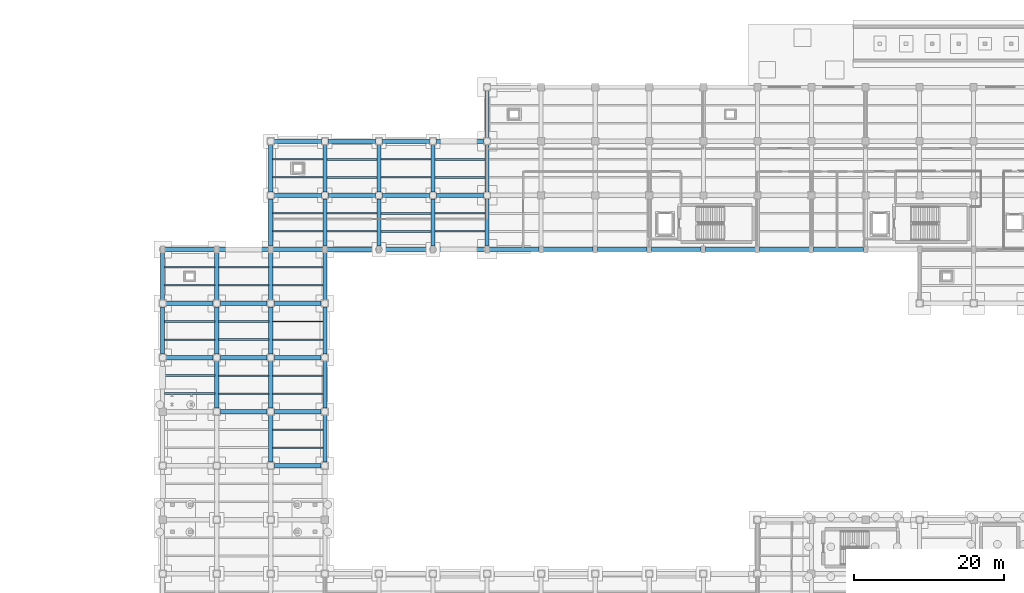
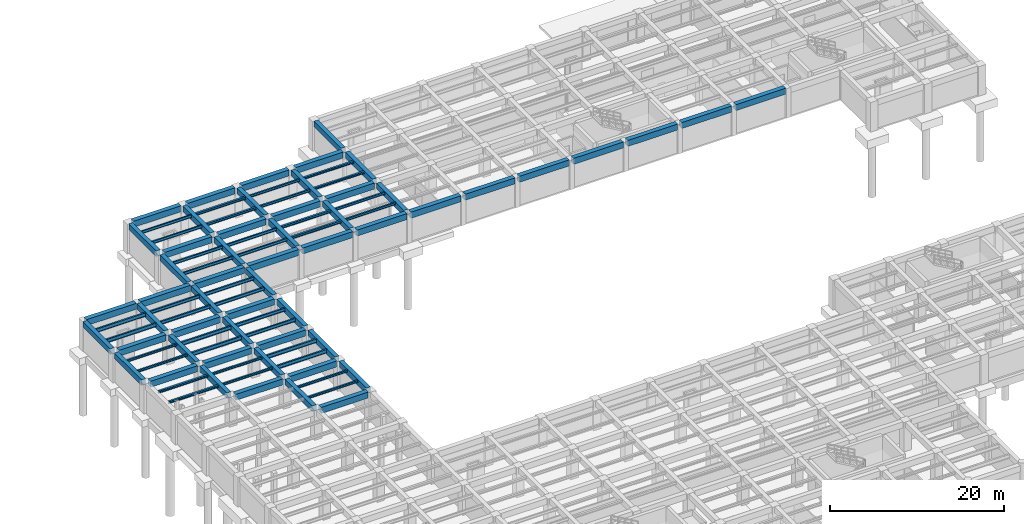
# One storey, part 12 of 34: 90 beams.
"""IFC4 building model written with IfcOpenShell, lengths in metres."""

from ifc_helpers import new_model, si_unit, direction, frame, origin, origin_2d, place, context, subcontext, project, spatial, rectangle, i_section, extrude, material, material_profile, profile_set, type_object, element, save


model = new_model("IFC4")

# Units and contexts
model_context = context("Model", 3, precision=1e-05, world=origin(), true_north=direction((0.0, 1.0)))
body_context = subcontext(model_context, "Body", "Model", "MODEL_VIEW")
ifc_project = project(units=[si_unit("LENGTHUNIT", "METRE"), si_unit("AREAUNIT", "SQUARE_METRE"), si_unit("VOLUMEUNIT", "CUBIC_METRE"), si_unit("PLANEANGLEUNIT", "RADIAN"), si_unit("MASSUNIT", "GRAM", prefix="KILO")], contexts=[model_context])

# Site, building, storey
site_placement = place(None, origin())
site = spatial("IfcSite", under=ifc_project, at=site_placement, CompositionType="ELEMENT")
building_placement = place(site_placement, origin())
building = spatial("IfcBuilding", under=site, at=building_placement, Name="Solenvale Faculty of Natural Sciences", CompositionType="ELEMENT")
storey_placement = place(building_placement, frame((0.0, 0.0, -4.5)))
storey = spatial("IfcBuildingStorey", under=building, at=storey_placement, Name="B01", CompositionType="ELEMENT", Elevation=-4.5)

# Beams
ifc_material_1 = material(Name="Concrete 40 MPa", Category="concrete")
ifc_material_profile_1 = material_profile(ifc_material_1, rectangle(XDim=0.550048828125, YDim=0.800048828125, at=origin_2d()), Name="RC-BM-550x800")
ifc_profile_set_1 = profile_set([ifc_material_profile_1], Name="Concrete 40 MPa")
beam_type_1 = type_object("IfcBeamType", Name="BM-RC-550x800", PredefinedType="BEAM", material=ifc_profile_set_1)
beam_1_placement = place(storey_placement, frame((36.0, 79.679931640625, 3.75), z_axis=(0.0, 1.0, 0.0), x_axis=(-1.0, 0.0, 0.0)))
element("IfcBeam", 1, at=beam_1_placement, inside=storey, type_object=beam_type_1, Name="B01 Y-Girder X36.0 (79.2..86.4)", PredefinedType="BEAM", context=body_context, shape_type="SweptSolid", body=[
    extrude(rectangle(XDim=0.550048828125, YDim=0.800048828125, at=origin_2d()), origin(), (0.0, 0.0, 1.0), 6.239990234375),
])
beam_2_placement = place(storey_placement, frame((36.0, 86.8798828125, 3.75), z_axis=(0.0, 1.0, 0.0), x_axis=(-1.0, 0.0, 0.0)))
element("IfcBeam", 2, at=beam_2_placement, inside=storey, type_object=beam_type_1, Name="B01 Y-Girder X36.0 (86.4..93.6)", PredefinedType="BEAM", context=body_context, shape_type="SweptSolid", body=[
    extrude(rectangle(XDim=0.550048828125, YDim=0.800048828125, at=origin_2d()), origin(), (0.0, 0.0, 1.0), 6.2900390625),
])
for number, where, z_axis, x_axis, name in (
    (3, (43.199951171875, 72.47998046875, 3.75), (0.0, 1.0, 0.0), (-1.0, 0.0, 0.0), "B01 Y-Girder X43.2 (72.0..79.2)"),
    (4, (43.199951171875, 79.679931640625, 3.75), (0.0, 1.0, 0.0), (-1.0, 0.0, 0.0), "B01 Y-Girder X43.2 (79.2..86.4)"),
):
    element("IfcBeam", number, at=place(storey_placement, frame(where, z_axis=z_axis, x_axis=x_axis)), inside=storey, type_object=beam_type_1, Name=name, PredefinedType="BEAM", context=body_context, shape_type="SweptSolid", body=[
        extrude(rectangle(XDim=0.550048828125, YDim=0.800048828125, at=origin_2d()), origin(), (0.0, 0.0, 1.0), 6.239990234375),
    ])
beam_3_placement = place(storey_placement, frame((43.199951171875, 86.8798828125, 3.75), z_axis=(0.0, 1.0, 0.0), x_axis=(-1.0, 0.0, 0.0)))
element("IfcBeam", 5, at=beam_3_placement, inside=storey, type_object=beam_type_1, Name="B01 Y-Girder X43.2 (86.4..93.6)", PredefinedType="BEAM", context=body_context, shape_type="SweptSolid", body=[
    extrude(rectangle(XDim=0.550048828125, YDim=0.800048828125, at=origin_2d()), origin(), (0.0, 0.0, 1.0), 6.2900390625),
])
for number, where, z_axis, x_axis, name in (
    (6, (50.39990234375, 65.280029296875, 3.75), (0.0, 1.0, 0.0), (-1.0, 0.0, 0.0), "B01 Y-Girder X50.4 (64.8..72.0)"),
    (7, (50.39990234375, 72.47998046875, 3.75), (0.0, 1.0, 0.0), (-1.0, 0.0, 0.0), "B01 Y-Girder X50.4 (72.0..79.2)"),
    (8, (50.39990234375, 79.679931640625, 3.75), (0.0, 1.0, 0.0), (-1.0, 0.0, 0.0), "B01 Y-Girder X50.4 (79.2..86.4)"),
):
    element("IfcBeam", number, at=place(storey_placement, frame(where, z_axis=z_axis, x_axis=x_axis)), inside=storey, type_object=beam_type_1, Name=name, PredefinedType="BEAM", context=body_context, shape_type="SweptSolid", body=[
        extrude(rectangle(XDim=0.550048828125, YDim=0.800048828125, at=origin_2d()), origin(), (0.0, 0.0, 1.0), 6.239990234375),
    ])
beam_4_placement = place(storey_placement, frame((50.39990234375, 86.8798828125, 3.75), z_axis=(0.0, 1.0, 0.0), x_axis=(-1.0, 0.0, 0.0)))
element("IfcBeam", 9, at=beam_4_placement, inside=storey, type_object=beam_type_1, Name="B01 Y-Girder X50.4 (86.4..93.6)", PredefinedType="BEAM", context=body_context, shape_type="SweptSolid", body=[
    extrude(rectangle(XDim=0.550048828125, YDim=0.800048828125, at=origin_2d()), origin(), (0.0, 0.0, 1.0), 6.2900390625),
])
beam_5_placement = place(storey_placement, frame((50.39990234375, 94.030029296875, 3.75), z_axis=(0.0, 1.0, 0.0), x_axis=(-1.0, 0.0, 0.0)))
element("IfcBeam", 10, at=beam_5_placement, inside=storey, type_object=beam_type_1, Name="B01 Y-Girder X50.4 (93.6..100.8)", PredefinedType="BEAM", context=body_context, shape_type="SweptSolid", body=[
    extrude(rectangle(XDim=0.550048828125, YDim=0.800048828125, at=origin_2d()), origin(), (0.0, 0.0, 1.0), 6.31494140625),
])
beam_6_placement = place(storey_placement, frame((50.39990234375, 101.2548828125, 3.75), z_axis=(0.0, 1.0, 0.0), x_axis=(-1.0, 0.0, 0.0)))
element("IfcBeam", 11, at=beam_6_placement, inside=storey, type_object=beam_type_1, Name="B01 Y-Girder X50.4 (100.8..108.0)", PredefinedType="BEAM", context=body_context, shape_type="SweptSolid", body=[
    extrude(rectangle(XDim=0.550048828125, YDim=0.800048828125, at=origin_2d()), origin(), (0.0, 0.0, 1.0), 6.2900390625),
])
for number, where, z_axis, x_axis, name in (
    (12, (57.60009765625, 65.280029296875, 3.75), (0.0, 1.0, 0.0), (-1.0, 0.0, 0.0), "B01 Y-Girder X57.6 (64.8..72.0)"),
    (13, (57.60009765625, 72.47998046875, 3.75), (0.0, 1.0, 0.0), (-1.0, 0.0, 0.0), "B01 Y-Girder X57.6 (72.0..79.2)"),
    (14, (57.60009765625, 79.679931640625, 3.75), (0.0, 1.0, 0.0), (-1.0, 0.0, 0.0), "B01 Y-Girder X57.6 (79.2..86.4)"),
):
    element("IfcBeam", number, at=place(storey_placement, frame(where, z_axis=z_axis, x_axis=x_axis)), inside=storey, type_object=beam_type_1, Name=name, PredefinedType="BEAM", context=body_context, shape_type="SweptSolid", body=[
        extrude(rectangle(XDim=0.550048828125, YDim=0.800048828125, at=origin_2d()), origin(), (0.0, 0.0, 1.0), 6.239990234375),
    ])
beam_7_placement = place(storey_placement, frame((57.60009765625, 86.8798828125, 3.75), z_axis=(0.0, 1.0, 0.0), x_axis=(-1.0, 0.0, 0.0)))
element("IfcBeam", 15, at=beam_7_placement, inside=storey, type_object=beam_type_1, Name="B01 Y-Girder X57.6 (86.4..93.6)", PredefinedType="BEAM", context=body_context, shape_type="SweptSolid", body=[
    extrude(rectangle(XDim=0.550048828125, YDim=0.800048828125, at=origin_2d()), origin(), (0.0, 0.0, 1.0), 6.2900390625),
])
beam_8_placement = place(storey_placement, frame((57.60009765625, 94.030029296875, 3.75), z_axis=(0.0, 1.0, 0.0), x_axis=(-1.0, 0.0, 0.0)))
element("IfcBeam", 16, at=beam_8_placement, inside=storey, type_object=beam_type_1, Name="B01 Y-Girder X57.6 (93.6..100.8)", PredefinedType="BEAM", context=body_context, shape_type="SweptSolid", body=[
    extrude(rectangle(XDim=0.550048828125, YDim=0.800048828125, at=origin_2d()), origin(), (0.0, 0.0, 1.0), 6.31494140625),
])
beam_9_placement = place(storey_placement, frame((57.60009765625, 101.2548828125, 3.75), z_axis=(0.0, 1.0, 0.0), x_axis=(-1.0, 0.0, 0.0)))
element("IfcBeam", 17, at=beam_9_placement, inside=storey, type_object=beam_type_1, Name="B01 Y-Girder X57.6 (100.8..108.0)", PredefinedType="BEAM", context=body_context, shape_type="SweptSolid", body=[
    extrude(rectangle(XDim=0.550048828125, YDim=0.800048828125, at=origin_2d()), origin(), (0.0, 0.0, 1.0), 6.2900390625),
])
beam_10_placement = place(storey_placement, frame((64.800048828125, 94.030029296875, 3.75), z_axis=(0.0, 1.0, 0.0), x_axis=(-1.0, 0.0, 0.0)))
element("IfcBeam", 18, at=beam_10_placement, inside=storey, type_object=beam_type_1, Name="B01 Y-Girder X64.8 (93.6..100.8)", PredefinedType="BEAM", context=body_context, shape_type="SweptSolid", body=[
    extrude(rectangle(XDim=0.550048828125, YDim=0.800048828125, at=origin_2d()), origin(), (0.0, 0.0, 1.0), 6.31494140625),
])
beam_11_placement = place(storey_placement, frame((64.800048828125, 101.2548828125, 3.75), z_axis=(0.0, 1.0, 0.0), x_axis=(-1.0, 0.0, 0.0)))
element("IfcBeam", 19, at=beam_11_placement, inside=storey, type_object=beam_type_1, Name="B01 Y-Girder X64.8 (100.8..108.0)", PredefinedType="BEAM", context=body_context, shape_type="SweptSolid", body=[
    extrude(rectangle(XDim=0.550048828125, YDim=0.800048828125, at=origin_2d()), origin(), (0.0, 0.0, 1.0), 6.2900390625),
])
beam_12_placement = place(storey_placement, frame((72.0, 94.030029296875, 3.75), z_axis=(0.0, 1.0, 0.0), x_axis=(-1.0, 0.0, 0.0)))
element("IfcBeam", 20, at=beam_12_placement, inside=storey, type_object=beam_type_1, Name="B01 Y-Girder X72.0 (93.6..100.8)", PredefinedType="BEAM", context=body_context, shape_type="SweptSolid", body=[
    extrude(rectangle(XDim=0.550048828125, YDim=0.800048828125, at=origin_2d()), origin(), (0.0, 0.0, 1.0), 6.31494140625),
])
beam_13_placement = place(storey_placement, frame((72.0, 101.2548828125, 3.75), z_axis=(0.0, 1.0, 0.0), x_axis=(-1.0, 0.0, 0.0)))
element("IfcBeam", 21, at=beam_13_placement, inside=storey, type_object=beam_type_1, Name="B01 Y-Girder X72.0 (100.8..108.0)", PredefinedType="BEAM", context=body_context, shape_type="SweptSolid", body=[
    extrude(rectangle(XDim=0.550048828125, YDim=0.800048828125, at=origin_2d()), origin(), (0.0, 0.0, 1.0), 6.2900390625),
])
beam_14_placement = place(storey_placement, frame((79.199951171875, 94.030029296875, 3.75), z_axis=(0.0, 1.0, 0.0), x_axis=(-1.0, 0.0, 0.0)))
element("IfcBeam", 22, at=beam_14_placement, inside=storey, type_object=beam_type_1, Name="B01 Y-Girder X79.2 (93.6..100.8)", PredefinedType="BEAM", context=body_context, shape_type="SweptSolid", body=[
    extrude(rectangle(XDim=0.550048828125, YDim=0.800048828125, at=origin_2d()), origin(), (0.0, 0.0, 1.0), 6.31494140625),
])
for number, where, z_axis, x_axis, name in (
    (23, (79.199951171875, 101.2548828125, 3.75), (0.0, 1.0, 0.0), (-1.0, 0.0, 0.0), "B01 Y-Girder X79.2 (100.8..108.0)"),
    (24, (79.199951171875, 108.455078125, 3.75), (0.0, 1.0, 0.0), (-1.0, 0.0, 0.0), "B01 Y-Girder X79.2 (108.0..115.2)"),
):
    element("IfcBeam", number, at=place(storey_placement, frame(where, z_axis=z_axis, x_axis=x_axis)), inside=storey, type_object=beam_type_1, Name=name, PredefinedType="BEAM", context=body_context, shape_type="SweptSolid", body=[
        extrude(rectangle(XDim=0.550048828125, YDim=0.800048828125, at=origin_2d()), origin(), (0.0, 0.0, 1.0), 6.2900390625),
    ])
ifc_material_profile_2 = material_profile(ifc_material_1, rectangle(XDim=0.60009765625, YDim=0.85009765625, at=origin_2d()), Name="RC-BM-600x850")
ifc_profile_set_2 = profile_set([ifc_material_profile_2], Name="Concrete 40 MPa")
beam_type_2 = type_object("IfcBeamType", Name="BM-RC-600x850", PredefinedType="BEAM", material=ifc_profile_set_2)
beam_15_placement = place(storey_placement, frame((50.8798828125, 64.800048828125, 3.72509765625), z_axis=(1.0, 0.0, 0.0), x_axis=(0.0, 1.0, 0.0)))
element("IfcBeam", 25, at=beam_15_placement, inside=storey, type_object=beam_type_2, Name="B01 X-Girder Y64.8 (50.4..57.6)", PredefinedType="BEAM", context=body_context, shape_type="SweptSolid", body=[
    extrude(rectangle(XDim=0.60009765625, YDim=0.85009765625, at=origin_2d()), origin(), (0.0, 0.0, 1.0), 6.240234375),
])
beam_16_placement = place(storey_placement, frame((43.679931640625, 72.0, 3.72509765625), z_axis=(1.0, 0.0, 0.0), x_axis=(0.0, 1.0, 0.0)))
element("IfcBeam", 26, at=beam_16_placement, inside=storey, type_object=beam_type_2, Name="B01 X-Girder Y72.0 (43.2..50.4)", PredefinedType="BEAM", context=body_context, shape_type="SweptSolid", body=[
    extrude(rectangle(XDim=0.60009765625, YDim=0.85009765625, at=origin_2d()), origin(), (0.0, 0.0, 1.0), 6.239990234375),
])
beam_17_placement = place(storey_placement, frame((50.8798828125, 72.0, 3.72509765625), z_axis=(1.0, 0.0, 0.0), x_axis=(0.0, 1.0, 0.0)))
element("IfcBeam", 27, at=beam_17_placement, inside=storey, type_object=beam_type_2, Name="B01 X-Girder Y72.0 (50.4..57.6)", PredefinedType="BEAM", context=body_context, shape_type="SweptSolid", body=[
    extrude(rectangle(XDim=0.60009765625, YDim=0.85009765625, at=origin_2d()), origin(), (0.0, 0.0, 1.0), 6.240234375),
])
for number, where, z_axis, x_axis, name in (
    (28, (36.47998046875, 79.199951171875, 3.72509765625), (1.0, 0.0, 0.0), (0.0, 1.0, 0.0), "B01 X-Girder Y79.2 (36.0..43.2)"),
    (29, (43.679931640625, 79.199951171875, 3.72509765625), (1.0, 0.0, 0.0), (0.0, 1.0, 0.0), "B01 X-Girder Y79.2 (43.2..50.4)"),
):
    element("IfcBeam", number, at=place(storey_placement, frame(where, z_axis=z_axis, x_axis=x_axis)), inside=storey, type_object=beam_type_2, Name=name, PredefinedType="BEAM", context=body_context, shape_type="SweptSolid", body=[
        extrude(rectangle(XDim=0.60009765625, YDim=0.85009765625, at=origin_2d()), origin(), (0.0, 0.0, 1.0), 6.239990234375),
    ])
beam_18_placement = place(storey_placement, frame((50.8798828125, 79.199951171875, 3.72509765625), z_axis=(1.0, 0.0, 0.0), x_axis=(0.0, 1.0, 0.0)))
element("IfcBeam", 30, at=beam_18_placement, inside=storey, type_object=beam_type_2, Name="B01 X-Girder Y79.2 (50.4..57.6)", PredefinedType="BEAM", context=body_context, shape_type="SweptSolid", body=[
    extrude(rectangle(XDim=0.60009765625, YDim=0.85009765625, at=origin_2d()), origin(), (0.0, 0.0, 1.0), 6.240234375),
])
for number, where, z_axis, x_axis, name in (
    (31, (36.47998046875, 86.39990234375, 3.72509765625), (1.0, 0.0, 0.0), (0.0, 1.0, 0.0), "B01 X-Girder Y86.4 (36.0..43.2)"),
    (32, (43.679931640625, 86.39990234375, 3.72509765625), (1.0, 0.0, 0.0), (0.0, 1.0, 0.0), "B01 X-Girder Y86.4 (43.2..50.4)"),
):
    element("IfcBeam", number, at=place(storey_placement, frame(where, z_axis=z_axis, x_axis=x_axis)), inside=storey, type_object=beam_type_2, Name=name, PredefinedType="BEAM", context=body_context, shape_type="SweptSolid", body=[
        extrude(rectangle(XDim=0.60009765625, YDim=0.85009765625, at=origin_2d()), origin(), (0.0, 0.0, 1.0), 6.239990234375),
    ])
beam_19_placement = place(storey_placement, frame((50.8798828125, 86.39990234375, 3.72509765625), z_axis=(1.0, 0.0, 0.0), x_axis=(0.0, 1.0, 0.0)))
element("IfcBeam", 33, at=beam_19_placement, inside=storey, type_object=beam_type_2, Name="B01 X-Girder Y86.4 (50.4..57.6)", PredefinedType="BEAM", context=body_context, shape_type="SweptSolid", body=[
    extrude(rectangle(XDim=0.60009765625, YDim=0.85009765625, at=origin_2d()), origin(), (0.0, 0.0, 1.0), 6.240234375),
])
beam_20_placement = place(storey_placement, frame((36.280029296875, 93.60009765625, 3.72509765625), z_axis=(1.0, 0.0, 0.0), x_axis=(0.0, 1.0, 0.0)))
element("IfcBeam", 34, at=beam_20_placement, inside=storey, type_object=beam_type_2, Name="B01 X-Girder Y93.6 (36.0..43.2)", PredefinedType="BEAM", context=body_context, shape_type="SweptSolid", body=[
    extrude(rectangle(XDim=0.60009765625, YDim=0.85009765625, at=origin_2d()), origin(), (0.0, 0.0, 1.0), 6.639892578125),
])
for number, where, z_axis, x_axis, name in (
    (35, (43.47998046875, 93.60009765625, 3.72509765625), (1.0, 0.0, 0.0), (0.0, 1.0, 0.0), "B01 X-Girder Y93.6 (43.2..50.4)"),
    (36, (50.679931640625, 93.60009765625, 3.72509765625), (1.0, 0.0, 0.0), (0.0, 1.0, 0.0), "B01 X-Girder Y93.6 (50.4..57.6)"),
    (37, (57.8798828125, 93.60009765625, 3.72509765625), (1.0, 0.0, 0.0), (0.0, 1.0, 0.0), "B01 X-Girder Y93.6 (57.6..64.8)"),
):
    element("IfcBeam", number, at=place(storey_placement, frame(where, z_axis=z_axis, x_axis=x_axis)), inside=storey, type_object=beam_type_2, Name=name, PredefinedType="BEAM", context=body_context, shape_type="SweptSolid", body=[
        extrude(rectangle(XDim=0.60009765625, YDim=0.85009765625, at=origin_2d()), origin(), (0.0, 0.0, 1.0), 6.64013671875),
    ])
for number, where, z_axis, x_axis, name in (
    (38, (65.080078125, 93.60009765625, 3.72509765625), (1.0, 0.0, 0.0), (0.0, 1.0, 0.0), "B01 X-Girder Y93.6 (64.8..72.0)"),
    (39, (72.280029296875, 93.60009765625, 3.72509765625), (1.0, 0.0, 0.0), (0.0, 1.0, 0.0), "B01 X-Girder Y93.6 (72.0..79.2)"),
):
    element("IfcBeam", number, at=place(storey_placement, frame(where, z_axis=z_axis, x_axis=x_axis)), inside=storey, type_object=beam_type_2, Name=name, PredefinedType="BEAM", context=body_context, shape_type="SweptSolid", body=[
        extrude(rectangle(XDim=0.60009765625, YDim=0.85009765625, at=origin_2d()), origin(), (0.0, 0.0, 1.0), 6.639892578125),
    ])
for number, where, z_axis, x_axis, name in (
    (40, (79.47998046875, 93.60009765625, 3.72509765625), (1.0, 0.0, 0.0), (0.0, 1.0, 0.0), "B01 X-Girder Y93.6 (79.2..86.4)"),
    (41, (86.679931640625, 93.60009765625, 3.72509765625), (1.0, 0.0, 0.0), (0.0, 1.0, 0.0), "B01 X-Girder Y93.6 (86.4..93.6)"),
    (42, (93.8798828125, 93.60009765625, 3.72509765625), (1.0, 0.0, 0.0), (0.0, 1.0, 0.0), "B01 X-Girder Y93.6 (93.6..100.8)"),
):
    element("IfcBeam", number, at=place(storey_placement, frame(where, z_axis=z_axis, x_axis=x_axis)), inside=storey, type_object=beam_type_2, Name=name, PredefinedType="BEAM", context=body_context, shape_type="SweptSolid", body=[
        extrude(rectangle(XDim=0.60009765625, YDim=0.85009765625, at=origin_2d()), origin(), (0.0, 0.0, 1.0), 6.64013671875),
    ])
for number, where, z_axis, x_axis, name in (
    (43, (101.080078125, 93.60009765625, 3.72509765625), (1.0, 0.0, 0.0), (0.0, 1.0, 0.0), "B01 X-Girder Y93.6 (100.8..108.0)"),
    (44, (108.280029296875, 93.60009765625, 3.72509765625), (1.0, 0.0, 0.0), (0.0, 1.0, 0.0), "B01 X-Girder Y93.6 (108.0..115.2)"),
):
    element("IfcBeam", number, at=place(storey_placement, frame(where, z_axis=z_axis, x_axis=x_axis)), inside=storey, type_object=beam_type_2, Name=name, PredefinedType="BEAM", context=body_context, shape_type="SweptSolid", body=[
        extrude(rectangle(XDim=0.60009765625, YDim=0.85009765625, at=origin_2d()), origin(), (0.0, 0.0, 1.0), 6.639892578125),
    ])
for number, where, z_axis, x_axis, name in (
    (45, (115.47998046875, 93.60009765625, 3.72509765625), (1.0, 0.0, 0.0), (0.0, 1.0, 0.0), "B01 X-Girder Y93.6 (115.2..122.4)"),
    (46, (122.679931640625, 93.60009765625, 3.72509765625), (1.0, 0.0, 0.0), (0.0, 1.0, 0.0), "B01 X-Girder Y93.6 (122.4..129.6)"),
):
    element("IfcBeam", number, at=place(storey_placement, frame(where, z_axis=z_axis, x_axis=x_axis)), inside=storey, type_object=beam_type_2, Name=name, PredefinedType="BEAM", context=body_context, shape_type="SweptSolid", body=[
        extrude(rectangle(XDim=0.60009765625, YDim=0.85009765625, at=origin_2d()), origin(), (0.0, 0.0, 1.0), 6.64013671875),
    ])
for number, where, z_axis, x_axis, name in (
    (47, (50.85498046875, 100.800048828125, 3.72509765625), (1.0, 0.0, 0.0), (0.0, 1.0, 0.0), "B01 X-Girder Y100.8 (50.4..57.6)"),
    (48, (58.054931640625, 100.800048828125, 3.72509765625), (1.0, 0.0, 0.0), (0.0, 1.0, 0.0), "B01 X-Girder Y100.8 (57.6..64.8)"),
    (49, (65.2548828125, 100.800048828125, 3.72509765625), (1.0, 0.0, 0.0), (0.0, 1.0, 0.0), "B01 X-Girder Y100.8 (64.8..72.0)"),
    (50, (72.455078125, 100.800048828125, 3.72509765625), (1.0, 0.0, 0.0), (0.0, 1.0, 0.0), "B01 X-Girder Y100.8 (72.0..79.2)"),
    (51, (50.85498046875, 108.0, 3.72509765625), (1.0, 0.0, 0.0), (0.0, 1.0, 0.0), "B01 X-Girder Y108.0 (50.4..57.6)"),
    (52, (58.054931640625, 108.0, 3.72509765625), (1.0, 0.0, 0.0), (0.0, 1.0, 0.0), "B01 X-Girder Y108.0 (57.6..64.8)"),
    (53, (65.2548828125, 108.0, 3.72509765625), (1.0, 0.0, 0.0), (0.0, 1.0, 0.0), "B01 X-Girder Y108.0 (64.8..72.0)"),
    (54, (72.455078125, 108.0, 3.72509765625), (1.0, 0.0, 0.0), (0.0, 1.0, 0.0), "B01 X-Girder Y108.0 (72.0..79.2)"),
):
    element("IfcBeam", number, at=place(storey_placement, frame(where, z_axis=z_axis, x_axis=x_axis)), inside=storey, type_object=beam_type_2, Name=name, PredefinedType="BEAM", context=body_context, shape_type="SweptSolid", body=[
        extrude(rectangle(XDim=0.60009765625, YDim=0.85009765625, at=origin_2d()), origin(), (0.0, 0.0, 1.0), 6.2900390625),
    ])
ifc_material_2 = material(Name="Steel S355", Category="steel")
ifc_material_profile_3 = material_profile(ifc_material_2, i_section(OverallWidth=0.202880859375, OverallDepth=0.302978515625, WebThickness=0.007568359375, FlangeThickness=0.01318359375, FilletRadius=0.014892578125, at=origin_2d()), Name="W310x60")
ifc_profile_set_3 = profile_set([ifc_material_profile_3], Name="Steel S355")
beam_type_3 = type_object("IfcBeamType", Name="BM-STL-W310x60", PredefinedType="JOIST", material=ifc_profile_set_3)
for number, where, z_axis, x_axis, name in (
    (55, (36.2548828125, 81.60009765625, 3.99853515625), (1.0, 0.0, 0.0), (0.0, 1.0, 0.0), "B01 Composite Floor Joist (6,12).1"),
    (56, (36.2548828125, 84.0, 3.99853515625), (1.0, 0.0, 0.0), (0.0, 1.0, 0.0), "B01 Composite Floor Joist (6,12).2"),
):
    element("IfcBeam", number, at=place(storey_placement, frame(where, z_axis=z_axis, x_axis=x_axis)), inside=storey, type_object=beam_type_3, Name=name, PredefinedType="JOIST", context=body_context, shape_type="SweptSolid", body=[
        extrude(i_section(OverallWidth=0.202880859375, OverallDepth=0.302978515625, WebThickness=0.007568359375, FlangeThickness=0.01318359375, FilletRadius=0.014892578125, at=origin_2d()), origin(), (0.0, 0.0, 1.0), 6.690185546875),
    ])
for number, where, z_axis, x_axis, name in (
    (57, (43.455078125, 74.39990234375, 3.99853515625), (1.0, 0.0, 0.0), (0.0, 1.0, 0.0), "B01 Composite Floor Joist (7,11).1"),
    (58, (43.455078125, 76.800048828125, 3.99853515625), (1.0, 0.0, 0.0), (0.0, 1.0, 0.0), "B01 Composite Floor Joist (7,11).2"),
    (59, (50.655029296875, 67.199951171875, 3.99853515625), (1.0, 0.0, 0.0), (0.0, 1.0, 0.0), "B01 Composite Floor Joist (8,10).1"),
    (60, (50.655029296875, 69.60009765625, 3.99853515625), (1.0, 0.0, 0.0), (0.0, 1.0, 0.0), "B01 Composite Floor Joist (8,10).2"),
):
    element("IfcBeam", number, at=place(storey_placement, frame(where, z_axis=z_axis, x_axis=x_axis)), inside=storey, type_object=beam_type_3, Name=name, PredefinedType="JOIST", context=body_context, shape_type="SweptSolid", body=[
        extrude(i_section(OverallWidth=0.202880859375, OverallDepth=0.302978515625, WebThickness=0.007568359375, FlangeThickness=0.01318359375, FilletRadius=0.014892578125, at=origin_2d()), origin(), (0.0, 0.0, 1.0), 6.68994140625),
    ])
ifc_material_profile_4 = material_profile(ifc_material_2, i_section(OverallWidth=0.25390625, OverallDepth=0.305908203125, WebThickness=0.0087890625, FlangeThickness=0.0146484375, FilletRadius=0.014892578125, at=origin_2d()), Name="W310x79")
ifc_profile_set_4 = profile_set([ifc_material_profile_4], Name="Steel S355")
beam_type_4 = type_object("IfcBeamType", Name="BM-STL-W310x79", PredefinedType="JOIST", material=ifc_profile_set_4)
for number, where, z_axis, x_axis, name in (
    (61, (36.2548828125, 74.39990234375, 3.9970703125), (1.0, 0.0, 0.0), (0.0, 1.0, 0.0), "B01 Composite Floor Joist (6,11).1"),
    (62, (36.2548828125, 76.800048828125, 3.9970703125), (1.0, 0.0, 0.0), (0.0, 1.0, 0.0), "B01 Composite Floor Joist (6,11).2"),
    (63, (72.2548828125, 103.199951171875, 3.9970703125), (1.0, 0.0, 0.0), (0.0, 1.0, 0.0), "B01 Composite Floor Joist (11,15).1"),
    (64, (72.2548828125, 105.60009765625, 3.9970703125), (1.0, 0.0, 0.0), (0.0, 1.0, 0.0), "B01 Composite Floor Joist (11,15).2"),
):
    element("IfcBeam", number, at=place(storey_placement, frame(where, z_axis=z_axis, x_axis=x_axis)), inside=storey, type_object=beam_type_4, Name=name, PredefinedType="JOIST", context=body_context, shape_type="SweptSolid", body=[
        extrude(i_section(OverallWidth=0.25390625, OverallDepth=0.305908203125, WebThickness=0.0087890625, FlangeThickness=0.0146484375, FilletRadius=0.014892578125, at=origin_2d()), origin(), (0.0, 0.0, 1.0), 6.690185546875),
    ])
ifc_material_profile_5 = material_profile(ifc_material_2, i_section(OverallWidth=0.2548828125, OverallDepth=0.35693359375, WebThickness=0.010498046875, FlangeThickness=0.018310546875, FilletRadius=0.014892578125, at=origin_2d()), Name="W360x101")
ifc_profile_set_5 = profile_set([ifc_material_profile_5], Name="Steel S355")
beam_type_5 = type_object("IfcBeamType", Name="BM-STL-W360x101", PredefinedType="JOIST", material=ifc_profile_set_5)
for number, where, z_axis, x_axis, name in (
    (65, (57.85498046875, 103.199951171875, 3.971435546875), (1.0, 0.0, 0.0), (0.0, 1.0, 0.0), "B01 Composite Floor Joist (9,15).1"),
    (66, (57.85498046875, 105.60009765625, 3.971435546875), (1.0, 0.0, 0.0), (0.0, 1.0, 0.0), "B01 Composite Floor Joist (9,15).2"),
):
    element("IfcBeam", number, at=place(storey_placement, frame(where, z_axis=z_axis, x_axis=x_axis)), inside=storey, type_object=beam_type_5, Name=name, PredefinedType="JOIST", context=body_context, shape_type="SweptSolid", body=[
        extrude(i_section(OverallWidth=0.2548828125, OverallDepth=0.35693359375, WebThickness=0.010498046875, FlangeThickness=0.018310546875, FilletRadius=0.014892578125, at=origin_2d()), origin(), (0.0, 0.0, 1.0), 6.68994140625),
    ])
for number, where, z_axis, x_axis, name in (
    (67, (65.054931640625, 96.0, 3.971435546875), (1.0, 0.0, 0.0), (0.0, 1.0, 0.0), "B01 Composite Floor Joist (10,14).1"),
    (68, (65.054931640625, 98.39990234375, 3.971435546875), (1.0, 0.0, 0.0), (0.0, 1.0, 0.0), "B01 Composite Floor Joist (10,14).2"),
):
    element("IfcBeam", number, at=place(storey_placement, frame(where, z_axis=z_axis, x_axis=x_axis)), inside=storey, type_object=beam_type_5, Name=name, PredefinedType="JOIST", context=body_context, shape_type="SweptSolid", body=[
        extrude(i_section(OverallWidth=0.2548828125, OverallDepth=0.35693359375, WebThickness=0.010498046875, FlangeThickness=0.018310546875, FilletRadius=0.014892578125, at=origin_2d()), origin(), (0.0, 0.0, 1.0), 6.690185546875),
    ])
ifc_material_profile_6 = material_profile(ifc_material_2, i_section(OverallWidth=0.2041015625, OverallDepth=0.35009765625, WebThickness=0.008544921875, FlangeThickness=0.01513671875, FilletRadius=0.014892578125, at=origin_2d()), Name="W360x72")
ifc_profile_set_6 = profile_set([ifc_material_profile_6], Name="Steel S355")
beam_type_6 = type_object("IfcBeamType", Name="BM-STL-W360x72", PredefinedType="JOIST", material=ifc_profile_set_6)
for number, where, z_axis, x_axis, name in (
    (69, (65.054931640625, 103.199951171875, 3.97509765625), (1.0, 0.0, 0.0), (0.0, 1.0, 0.0), "B01 Composite Floor Joist (10,15).1"),
    (70, (65.054931640625, 105.60009765625, 3.97509765625), (1.0, 0.0, 0.0), (0.0, 1.0, 0.0), "B01 Composite Floor Joist (10,15).2"),
    (71, (72.2548828125, 96.0, 3.97509765625), (1.0, 0.0, 0.0), (0.0, 1.0, 0.0), "B01 Composite Floor Joist (11,14).1"),
    (72, (72.2548828125, 98.39990234375, 3.97509765625), (1.0, 0.0, 0.0), (0.0, 1.0, 0.0), "B01 Composite Floor Joist (11,14).2"),
):
    element("IfcBeam", number, at=place(storey_placement, frame(where, z_axis=z_axis, x_axis=x_axis)), inside=storey, type_object=beam_type_6, Name=name, PredefinedType="JOIST", context=body_context, shape_type="SweptSolid", body=[
        extrude(i_section(OverallWidth=0.2041015625, OverallDepth=0.35009765625, WebThickness=0.008544921875, FlangeThickness=0.01513671875, FilletRadius=0.014892578125, at=origin_2d()), origin(), (0.0, 0.0, 1.0), 6.690185546875),
    ])
ifc_material_profile_7 = material_profile(ifc_material_2, i_section(OverallWidth=0.178955078125, OverallDepth=0.409912109375, WebThickness=0.0087890625, FlangeThickness=0.014404296875, FilletRadius=0.01611328125, at=origin_2d()), Name="W410x67")
ifc_profile_set_7 = profile_set([ifc_material_profile_7], Name="Steel S355")
beam_type_7 = type_object("IfcBeamType", Name="BM-STL-W410x67", PredefinedType="JOIST", material=ifc_profile_set_7)
for number, where, z_axis, x_axis, name in (
    (73, (50.655029296875, 103.199951171875, 3.945068359375), (1.0, 0.0, 0.0), (0.0, 1.0, 0.0), "B01 Composite Floor Joist (8,15).1"),
    (74, (50.655029296875, 105.60009765625, 3.945068359375), (1.0, 0.0, 0.0), (0.0, 1.0, 0.0), "B01 Composite Floor Joist (8,15).2"),
    (75, (57.85498046875, 96.0, 3.945068359375), (1.0, 0.0, 0.0), (0.0, 1.0, 0.0), "B01 Composite Floor Joist (9,14).1"),
    (76, (57.85498046875, 98.39990234375, 3.945068359375), (1.0, 0.0, 0.0), (0.0, 1.0, 0.0), "B01 Composite Floor Joist (9,14).2"),
):
    element("IfcBeam", number, at=place(storey_placement, frame(where, z_axis=z_axis, x_axis=x_axis)), inside=storey, type_object=beam_type_7, Name=name, PredefinedType="JOIST", context=body_context, shape_type="SweptSolid", body=[
        extrude(i_section(OverallWidth=0.178955078125, OverallDepth=0.409912109375, WebThickness=0.0087890625, FlangeThickness=0.014404296875, FilletRadius=0.01611328125, at=origin_2d()), origin(), (0.0, 0.0, 1.0), 6.68994140625),
    ])
ifc_material_profile_8 = material_profile(ifc_material_2, i_section(OverallWidth=0.180908203125, OverallDepth=0.4169921875, WebThickness=0.010986328125, FlangeThickness=0.018310546875, FilletRadius=0.01611328125, at=origin_2d()), Name="W410x85")
ifc_profile_set_8 = profile_set([ifc_material_profile_8], Name="Steel S355")
beam_type_8 = type_object("IfcBeamType", Name="BM-STL-W410x85", PredefinedType="JOIST", material=ifc_profile_set_8)
for number, where, z_axis, x_axis, name in (
    (77, (50.655029296875, 96.0, 3.94140625), (1.0, 0.0, 0.0), (0.0, 1.0, 0.0), "B01 Composite Floor Joist (8,14).1"),
    (78, (50.655029296875, 98.39990234375, 3.94140625), (1.0, 0.0, 0.0), (0.0, 1.0, 0.0), "B01 Composite Floor Joist (8,14).2"),
):
    element("IfcBeam", number, at=place(storey_placement, frame(where, z_axis=z_axis, x_axis=x_axis)), inside=storey, type_object=beam_type_8, Name=name, PredefinedType="JOIST", context=body_context, shape_type="SweptSolid", body=[
        extrude(i_section(OverallWidth=0.180908203125, OverallDepth=0.4169921875, WebThickness=0.010986328125, FlangeThickness=0.018310546875, FilletRadius=0.01611328125, at=origin_2d()), origin(), (0.0, 0.0, 1.0), 6.68994140625),
    ])
ifc_material_profile_9 = material_profile(ifc_material_2, i_section(OverallWidth=0.194091796875, OverallDepth=0.468994140625, WebThickness=0.0126953125, FlangeThickness=0.0205078125, FilletRadius=0.01806640625, at=origin_2d()), Name="W460x106")
ifc_profile_set_9 = profile_set([ifc_material_profile_9], Name="Steel S355")
beam_type_9 = type_object("IfcBeamType", Name="BM-STL-W460x106", PredefinedType="JOIST", material=ifc_profile_set_9)
for number, where, z_axis, x_axis, name in (
    (79, (43.455078125, 88.800048828125, 3.91552734375), (1.0, 0.0, 0.0), (0.0, 1.0, 0.0), "B01 Composite Floor Joist (7,13).1"),
    (80, (43.455078125, 91.199951171875, 3.91552734375), (1.0, 0.0, 0.0), (0.0, 1.0, 0.0), "B01 Composite Floor Joist (7,13).2"),
    (81, (50.655029296875, 81.60009765625, 3.91552734375), (1.0, 0.0, 0.0), (0.0, 1.0, 0.0), "B01 Composite Floor Joist (8,12).1"),
    (82, (50.655029296875, 84.0, 3.91552734375), (1.0, 0.0, 0.0), (0.0, 1.0, 0.0), "B01 Composite Floor Joist (8,12).2"),
):
    element("IfcBeam", number, at=place(storey_placement, frame(where, z_axis=z_axis, x_axis=x_axis)), inside=storey, type_object=beam_type_9, Name=name, PredefinedType="JOIST", context=body_context, shape_type="SweptSolid", body=[
        extrude(i_section(OverallWidth=0.194091796875, OverallDepth=0.468994140625, WebThickness=0.0126953125, FlangeThickness=0.0205078125, FilletRadius=0.01806640625, at=origin_2d()), origin(), (0.0, 0.0, 1.0), 6.68994140625),
    ])
ifc_material_profile_10 = material_profile(ifc_material_2, i_section(OverallWidth=0.19091796875, OverallDepth=0.4599609375, WebThickness=0.010009765625, FlangeThickness=0.01611328125, FilletRadius=0.01806640625, at=origin_2d()), Name="W460x82")
ifc_profile_set_10 = profile_set([ifc_material_profile_10], Name="Steel S355")
beam_type_10 = type_object("IfcBeamType", Name="BM-STL-W460x82", PredefinedType="JOIST", material=ifc_profile_set_10)
for number, where, z_axis, x_axis, name in (
    (83, (50.655029296875, 88.800048828125, 3.919921875), (1.0, 0.0, 0.0), (0.0, 1.0, 0.0), "B01 Composite Floor Joist (8,13).1"),
    (84, (50.655029296875, 91.199951171875, 3.919921875), (1.0, 0.0, 0.0), (0.0, 1.0, 0.0), "B01 Composite Floor Joist (8,13).2"),
):
    element("IfcBeam", number, at=place(storey_placement, frame(where, z_axis=z_axis, x_axis=x_axis)), inside=storey, type_object=beam_type_10, Name=name, PredefinedType="JOIST", context=body_context, shape_type="SweptSolid", body=[
        extrude(i_section(OverallWidth=0.19091796875, OverallDepth=0.4599609375, WebThickness=0.010009765625, FlangeThickness=0.01611328125, FilletRadius=0.01806640625, at=origin_2d()), origin(), (0.0, 0.0, 1.0), 6.68994140625),
    ])
ifc_material_profile_11 = material_profile(ifc_material_2, i_section(OverallWidth=0.208984375, OverallDepth=0.532958984375, WebThickness=0.01025390625, FlangeThickness=0.015625, FilletRadius=0.01904296875, at=origin_2d()), Name="W530x92")
ifc_profile_set_11 = profile_set([ifc_material_profile_11], Name="Steel S355")
beam_type_11 = type_object("IfcBeamType", Name="BM-STL-W530x92", PredefinedType="JOIST", material=ifc_profile_set_11)
for number, where, z_axis, x_axis, name in (
    (85, (36.2548828125, 88.800048828125, 3.883544921875), (1.0, 0.0, 0.0), (0.0, 1.0, 0.0), "B01 Composite Floor Joist (6,13).1"),
    (86, (36.2548828125, 91.199951171875, 3.883544921875), (1.0, 0.0, 0.0), (0.0, 1.0, 0.0), "B01 Composite Floor Joist (6,13).2"),
):
    element("IfcBeam", number, at=place(storey_placement, frame(where, z_axis=z_axis, x_axis=x_axis)), inside=storey, type_object=beam_type_11, Name=name, PredefinedType="JOIST", context=body_context, shape_type="SweptSolid", body=[
        extrude(i_section(OverallWidth=0.208984375, OverallDepth=0.532958984375, WebThickness=0.01025390625, FlangeThickness=0.015625, FilletRadius=0.01904296875, at=origin_2d()), origin(), (0.0, 0.0, 1.0), 6.690185546875),
    ])
for number, where, z_axis, x_axis, name in (
    (87, (43.455078125, 81.60009765625, 3.883544921875), (1.0, 0.0, 0.0), (0.0, 1.0, 0.0), "B01 Composite Floor Joist (7,12).1"),
    (88, (43.455078125, 84.0, 3.883544921875), (1.0, 0.0, 0.0), (0.0, 1.0, 0.0), "B01 Composite Floor Joist (7,12).2"),
    (89, (50.655029296875, 74.39990234375, 3.883544921875), (1.0, 0.0, 0.0), (0.0, 1.0, 0.0), "B01 Composite Floor Joist (8,11).1"),
    (90, (50.655029296875, 76.800048828125, 3.883544921875), (1.0, 0.0, 0.0), (0.0, 1.0, 0.0), "B01 Composite Floor Joist (8,11).2"),
):
    element("IfcBeam", number, at=place(storey_placement, frame(where, z_axis=z_axis, x_axis=x_axis)), inside=storey, type_object=beam_type_11, Name=name, PredefinedType="JOIST", context=body_context, shape_type="SweptSolid", body=[
        extrude(i_section(OverallWidth=0.208984375, OverallDepth=0.532958984375, WebThickness=0.01025390625, FlangeThickness=0.015625, FilletRadius=0.01904296875, at=origin_2d()), origin(), (0.0, 0.0, 1.0), 6.68994140625),
    ])

save(model, "model.ifc")
